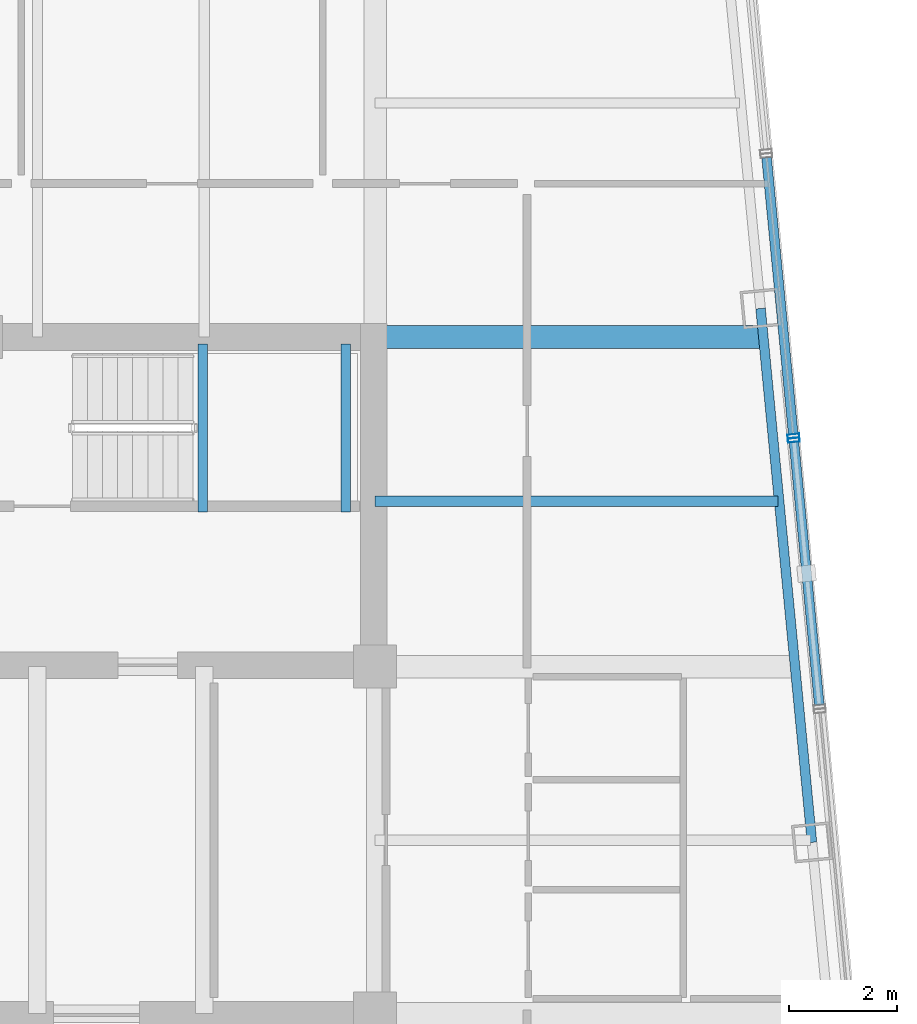
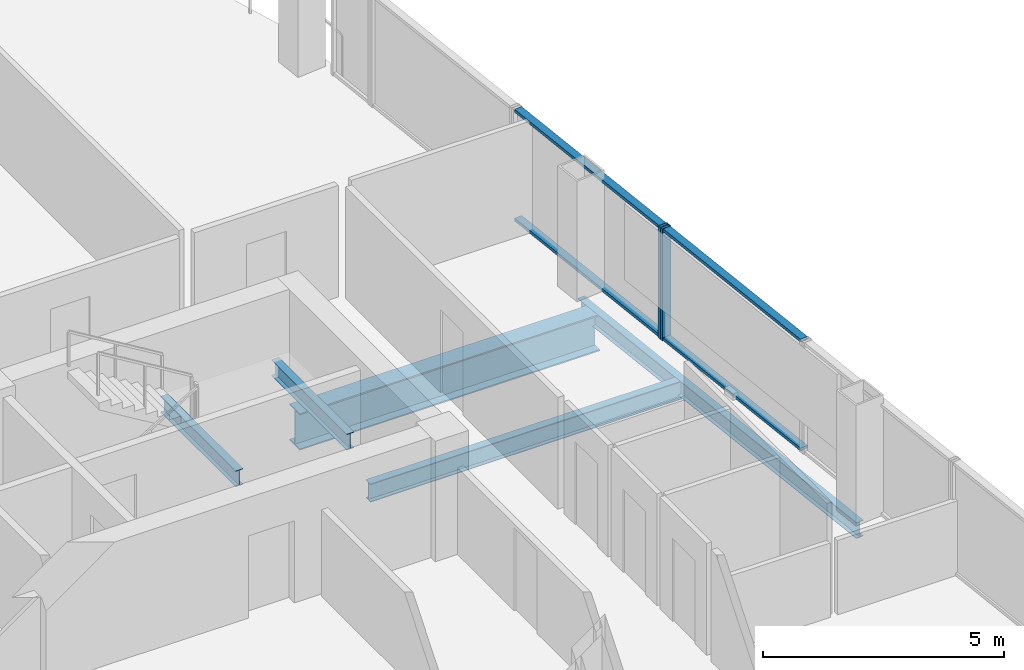
# One storey, part 11 of 22: 6 members, 5 beams, 2 elements without a shape of their own.
"""IFC4 building model written with IfcOpenShell, lengths in metres."""

from ifc_helpers import new_model, si_unit, direction, frame, origin, origin_2d, place, context, subcontext, project, spatial, hollow_rectangle, i_section, extrude, material, layer, layer_set, material_profile, profile_set, type_object, element, aggregate, save


model = new_model("IFC4")

# Units and contexts
model_context = context("Model", 3, precision=1e-05, world=origin(), true_north=direction((0.0, 1.0)))
body_context = subcontext(model_context, "Body", "Model", "MODEL_VIEW")
ifc_project = project(units=[si_unit("LENGTHUNIT", "METRE"), si_unit("AREAUNIT", "SQUARE_METRE"), si_unit("VOLUMEUNIT", "CUBIC_METRE"), si_unit("PLANEANGLEUNIT", "RADIAN"), si_unit("MASSUNIT", "GRAM", prefix="KILO")], contexts=[model_context])

# Site, building, storey
site_placement = place(None, origin())
site = spatial("IfcSite", under=ifc_project, at=site_placement, CompositionType="ELEMENT")
building_placement = place(site_placement, origin())
building = spatial("IfcBuilding", under=site, at=building_placement, Name="Qhalaya Broadcast Tower", CompositionType="ELEMENT")
storey_placement = place(building_placement, frame((0.0, 0.0, 165.300048828125)))
storey = spatial("IfcBuildingStorey", under=building, at=storey_placement, Name="L48", CompositionType="ELEMENT", Elevation=165.300048828125)

# Beams
ifc_material_1 = material(Name="Structural Steel ASTM A992 Grade 50", Category="steel")
ifc_material_profile_1 = material_profile(ifc_material_1, i_section(OverallWidth=0.19189453125, OverallDepth=0.462890625, WebThickness=0.010498046875, FlangeThickness=0.017578125, at=origin_2d()), Name="W18X60")
ifc_profile_set_1 = profile_set([ifc_material_profile_1], Name="Structural Steel ASTM A992 Grade 50")
beam_type_1 = type_object("IfcBeamType", Name="Composite Floor Joist J03", PredefinedType="JOIST", material=ifc_profile_set_1)
beam_1_placement = place(storey_placement, frame((9.375, 6.89990234375, -0.45166015625), z_axis=(1.0, 0.0, 0.0), x_axis=(0.0, 1.0, 0.0)))
element("IfcBeam", 1, at=beam_1_placement, inside=storey, type_object=beam_type_1, Name="L48 J03 L48-JWE5E-1", PredefinedType="JOIST", context=body_context, shape_type="SweptSolid", body=[
    extrude(i_section(OverallWidth=0.19189453125, OverallDepth=0.462890625, WebThickness=0.010498046875, FlangeThickness=0.017578125, at=origin_2d()), origin(), (0.0, 0.0, 1.0), 7.48681640625),
])
ifc_material_profile_2 = material_profile(ifc_material_1, i_section(OverallWidth=0.4189453125, OverallDepth=0.927001953125, WebThickness=0.019287109375, FlangeThickness=0.031982421875, at=origin_2d()), Name="W36X231")
ifc_profile_set_2 = profile_set([ifc_material_profile_2], Name="Structural Steel ASTM A992 Grade 50")
beam_type_2 = type_object("IfcBeamType", Name="Mid Block Primary Girder PG3", PredefinedType="USERDEFINED", material=ifc_profile_set_2)
beam_2_placement = place(storey_placement, frame((9.375, 9.949951171875, -0.68359375), z_axis=(1.0, 0.0, 0.0), x_axis=(0.0, 1.0, 0.0)))
element("IfcBeam", 2, at=beam_2_placement, inside=storey, type_object=beam_type_2, Name="L48 PG3 L48-PGYE4-1", ObjectType="GIRDER", PredefinedType="USERDEFINED", context=body_context, shape_type="SweptSolid", body=[
    extrude(i_section(OverallWidth=0.4189453125, OverallDepth=0.927001953125, WebThickness=0.019287109375, FlangeThickness=0.031982421875, at=origin_2d()), origin(), (0.0, 0.0, 1.0), 7.193115234375),
])

# Curtain wall, member
ifc_material_2 = material(Name="Fired Architectural Terracotta", Category="masonry")
ifc_layer_1 = layer(ifc_material_2, 0.219970703125, Name="Fired Architectural Terracotta")
ifc_layer_set_1 = layer_set([ifc_layer_1], Name="Fired Architectural Terracotta")
curtain_wall_type_1 = type_object("IfcCurtainWallType", Name="Block-Cap Unitised Terracotta Spandrel Wall CW-07", PredefinedType="NOTDEFINED", material=ifc_layer_set_1)
curtain_wall_1_placement = place(storey_placement, origin())
curtain_wall_1 = element("IfcCurtainWall", 3, at=curtain_wall_1_placement, inside=storey, type_object=curtain_wall_type_1, Name="L48 Unitised Curtain Wall L48-CW-E4", PredefinedType="NOTDEFINED")
ifc_material_3 = material(Name="Anodised Aluminium 6063-T6", Category="aluminium")
ifc_material_profile_3 = material_profile(ifc_material_3, hollow_rectangle(XDim=0.074951171875, YDim=0.219970703125, WallThickness=0.00390625, at=origin_2d()), Name="ALU-MUL 75x220x4")
ifc_profile_set_3 = profile_set([ifc_material_profile_3], Name="Anodised Aluminium 6063-T6")
member_type_1 = type_object("IfcMemberType", Name="Unitised Curtain-Wall Mullion M01", PredefinedType="MULLION", material=ifc_profile_set_3)
member_1_placement = place(storey_placement, frame((17.154541015625, 8.03466796875, 0.0), z_axis=(0.0, 0.0, 1.0), x_axis=(-0.095846949325, 0.995396083127, 0.0)))
member_1 = element("IfcMember", 4, at=member_1_placement, type_object=member_type_1, Name="CW-07 mullion 2", PredefinedType="MULLION", context=body_context, shape_type="SweptSolid", body=[
    extrude(hollow_rectangle(XDim=0.074951171875, YDim=0.219970703125, WallThickness=0.00390625, at=origin_2d()), origin(), (0.0, 0.0, 1.0), 2.829833984375),
])

ifc_material_4 = material(Name="Solar-Control Low-E Triple Glazing", Category="glass")
ifc_layer_2 = layer(ifc_material_4, 0.219970703125, Name="Solar-Control Low-E Triple Glazing")
ifc_layer_set_2 = layer_set([ifc_layer_2], Name="Solar-Control Low-E Triple Glazing")
curtain_wall_type_2 = type_object("IfcCurtainWallType", Name="Even-Block 4-Storey Double-Module Curtain Wall CW-03", PredefinedType="NOTDEFINED", material=ifc_layer_set_2)
curtain_wall_2_placement = place(storey_placement, origin())
curtain_wall_2 = element("IfcCurtainWall", 5, at=curtain_wall_2_placement, inside=storey, type_object=curtain_wall_type_2, Name="L48 Unitised Curtain Wall L48-CW-E5", PredefinedType="NOTDEFINED")
member_2_placement = place(storey_placement, frame((17.147216796875, 8.109375, 0.0), z_axis=(0.0, 0.0, 1.0), x_axis=(-0.095837976406, 0.995396947091, 0.0)))
member_2 = element("IfcMember", 6, at=member_2_placement, type_object=member_type_1, Name="CW-03 mullion 1", PredefinedType="MULLION", context=body_context, shape_type="SweptSolid", body=[
    extrude(hollow_rectangle(XDim=0.074951171875, YDim=0.219970703125, WallThickness=0.00390625, at=origin_2d()), origin(), (0.0, 0.0, 1.0), 2.829833984375),
])

# Member
ifc_material_profile_4 = material_profile(ifc_material_3, hollow_rectangle(XDim=0.074951171875, YDim=0.179931640625, WallThickness=0.00390625, at=origin_2d()), Name="ALU-TRN 75x180x4")
ifc_profile_set_4 = profile_set([ifc_material_profile_4], Name="Anodised Aluminium 6063-T6")
member_type_2 = type_object("IfcMemberType", Name="Unitised Curtain-Wall Transom T01", PredefinedType="USERDEFINED", material=ifc_profile_set_4)
member_3_placement = place(storey_placement, frame((17.62841796875, 3.114013671875, 0.037353515625), z_axis=(-0.0958470571, 0.99539607275, 0.0), x_axis=(0.0, 0.0, 1.0)))
member_3 = element("IfcMember", 7, at=member_3_placement, type_object=member_type_2, Name="CW-07 transom 1.1", ObjectType="TRANSOM", PredefinedType="USERDEFINED", context=body_context, shape_type="SweptSolid", body=[
    extrude(hollow_rectangle(XDim=0.074951171875, YDim=0.179931640625, WallThickness=0.00390625, at=origin_2d()), origin(), (0.0, 0.0, 1.0), 4.906005859375),
])

member_4_placement = place(storey_placement, frame((17.62841796875, 3.114013671875, 2.79248046875), z_axis=(-0.0958470571, 0.99539607275, 0.0), x_axis=(0.0, 0.0, 1.0)))
member_4 = element("IfcMember", 8, at=member_4_placement, type_object=member_type_2, Name="CW-07 transom 1.2", ObjectType="TRANSOM", PredefinedType="USERDEFINED", context=body_context, shape_type="SweptSolid", body=[
    extrude(hollow_rectangle(XDim=0.074951171875, YDim=0.179931640625, WallThickness=0.00390625, at=origin_2d()), origin(), (0.0, 0.0, 1.0), 4.906005859375),
])

aggregate(curtain_wall_1, [member_1, member_3, member_4])

member_5_placement = place(storey_placement, frame((17.143798828125, 8.146728515625, 0.037353515625), z_axis=(-0.09584040213, 0.995396713537, 0.0), x_axis=(0.0, 0.0, 1.0)))
member_5 = element("IfcMember", 9, at=member_5_placement, type_object=member_type_2, Name="CW-03 transom 1.1", ObjectType="TRANSOM", PredefinedType="USERDEFINED", context=body_context, shape_type="SweptSolid", body=[
    extrude(hollow_rectangle(XDim=0.074951171875, YDim=0.179931640625, WallThickness=0.00390625, at=origin_2d()), origin(), (0.0, 0.0, 1.0), 5.160888671875),
])

member_6_placement = place(storey_placement, frame((17.143798828125, 8.146728515625, 2.79248046875), z_axis=(-0.09584040213, 0.995396713537, 0.0), x_axis=(0.0, 0.0, 1.0)))
member_6 = element("IfcMember", 10, at=member_6_placement, type_object=member_type_2, Name="CW-03 transom 1.2", ObjectType="TRANSOM", PredefinedType="USERDEFINED", context=body_context, shape_type="SweptSolid", body=[
    extrude(hollow_rectangle(XDim=0.074951171875, YDim=0.179931640625, WallThickness=0.00390625, at=origin_2d()), origin(), (0.0, 0.0, 1.0), 5.160888671875),
])

aggregate(curtain_wall_2, [member_2, member_5, member_6])

# Beams
ifc_material_profile_5 = material_profile(ifc_material_1, i_section(OverallWidth=0.177978515625, OverallDepth=0.406005859375, WebThickness=0.0078125, FlangeThickness=0.0126953125, at=origin_2d()), Name="W16X40")
ifc_profile_set_5 = profile_set([ifc_material_profile_5], Name="Structural Steel ASTM A992 Grade 50")
beam_type_3 = type_object("IfcBeamType", Name="Upper Perimeter Spandrel Beam SP2", PredefinedType="SPANDREL", material=ifc_profile_set_5)
beam_3_placement = place(storey_placement, frame((17.49267578125, 0.558837890625, -0.423095703125), z_axis=(-0.095852900965, 0.995395510024, 0.0), x_axis=(-0.995395510024, -0.095852900965, 0.0)))
element("IfcBeam", 11, at=beam_3_placement, inside=storey, type_object=beam_type_3, Name="L48 SP2 L48-SPR-06", PredefinedType="SPANDREL", context=body_context, shape_type="SweptSolid", body=[
    extrude(i_section(OverallWidth=0.177978515625, OverallDepth=0.406005859375, WebThickness=0.0078125, FlangeThickness=0.0126953125, at=origin_2d()), origin(), (0.0, 0.0, 1.0), 9.966552734375),
])
for number, where, z_axis, x_axis, name in (
    (12, (6.175048828125, 6.699951171875, 1.1220703125), (0.0, 1.0, 0.0), (-1.0, 0.0, 0.0), "L48 ST-1 Half-Landing Bearer Beam 1"),
    (13, (8.830078125, 6.699951171875, 1.1220703125), (0.0, 1.0, 0.0), (-1.0, 0.0, 0.0), "L48 ST-1 Half-Landing Bearer Beam 2"),
):
    element("IfcBeam", number, at=place(storey_placement, frame(where, z_axis=z_axis, x_axis=x_axis)), inside=storey, type_object=beam_type_3, Name=name, PredefinedType="SPANDREL", context=body_context, shape_type="SweptSolid", body=[
        extrude(i_section(OverallWidth=0.177978515625, OverallDepth=0.406005859375, WebThickness=0.0078125, FlangeThickness=0.0126953125, at=origin_2d()), origin(), (0.0, 0.0, 1.0), 3.1201171875),
    ])

save(model, "model.ifc")
